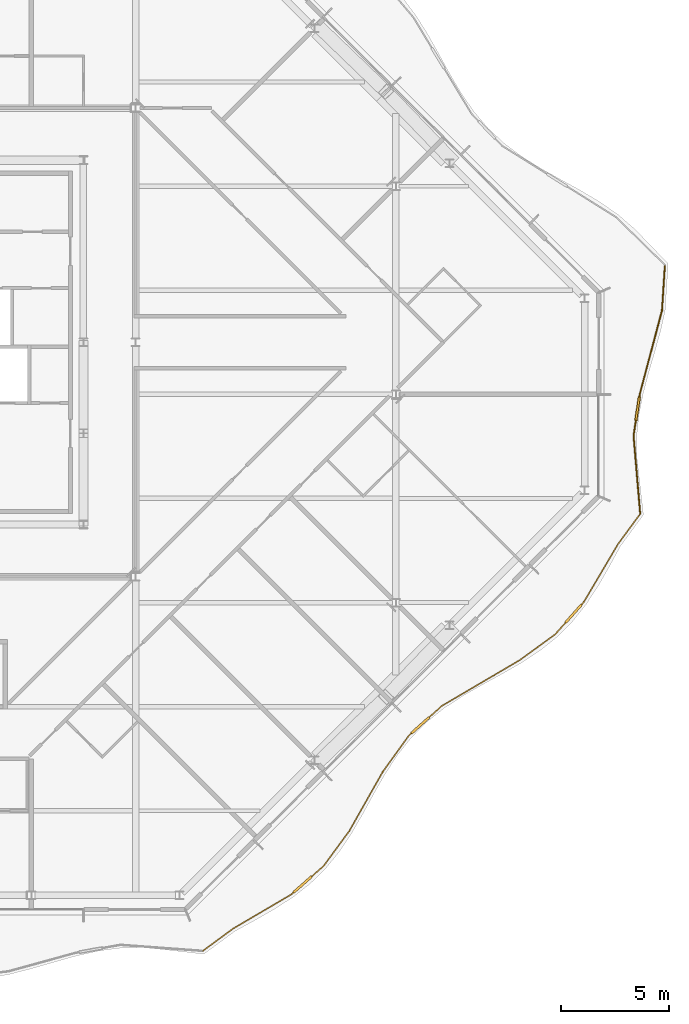
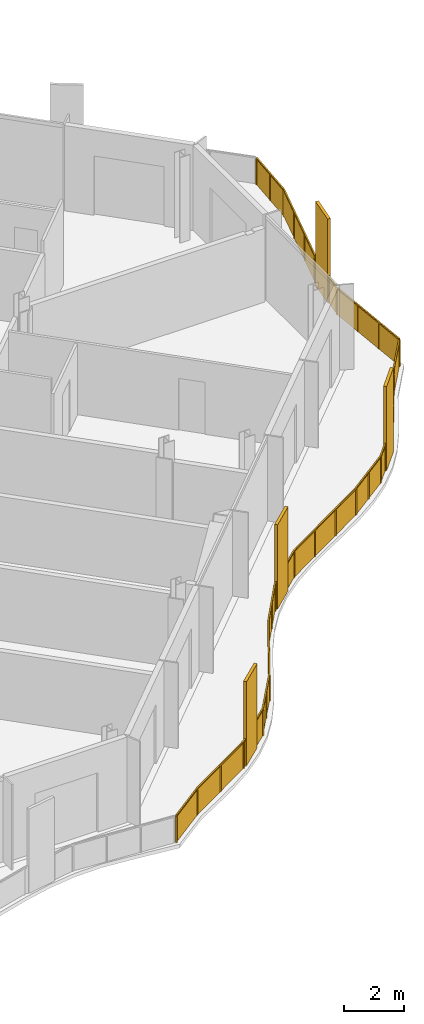
# One storey, part 15 of 17: 2 railings.
"""IFC4 building model written with IfcOpenShell, lengths in metres."""

from ifc_helpers import new_model, si_unit, direction, frame, origin, origin_2d, place, context, subcontext, project, spatial, polyline, rectangle, outline, extrude, material, type_object, element, save


model = new_model("IFC4")

# Units and contexts
model_context = context("Model", 3, precision=1e-05, world=origin(), true_north=direction((0.0, 1.0)))
body_context = subcontext(model_context, "Body", "Model", "MODEL_VIEW")
ifc_project = project(units=[si_unit("LENGTHUNIT", "METRE"), si_unit("AREAUNIT", "SQUARE_METRE"), si_unit("VOLUMEUNIT", "CUBIC_METRE"), si_unit("PLANEANGLEUNIT", "RADIAN"), si_unit("MASSUNIT", "GRAM", prefix="KILO")], contexts=[model_context])

# Site, building, storey
site_placement = place(None, origin())
site = spatial("IfcSite", under=ifc_project, at=site_placement, CompositionType="ELEMENT")
building_placement = place(site_placement, origin())
building = spatial("IfcBuilding", under=site, at=building_placement, Name="Cairn Pilgrim Tower", CompositionType="ELEMENT")
storey_placement = place(building_placement, frame((0.0, 0.0, 281.39990234375)))
storey = spatial("IfcBuildingStorey", under=building, at=storey_placement, Name="L72", CompositionType="ELEMENT", Elevation=281.39990234375)

# Railings
ifc_material = material(Name="Bronze anodised aluminium rail, posts and fin screens with laminated glass infill", Category="aluminium")
railing_type = type_object("IfcRailingType", Name="BALCONY GUARD WITH FIN SCREENS", PredefinedType="GUARDRAIL", material=ifc_material)
railing_1_placement = place(storey_placement, frame((22.30517578125, -25.655517578125, 0.0)))
element("IfcRailing", 1, at=railing_1_placement, inside=storey, type_object=railing_type, Name="Balcony guard BGF-2 with fin screens", PredefinedType="GUARDRAIL", context=body_context, shape_type="SweptSolid", body=[
    extrude(rectangle(XDim=0.050048828125, YDim=0.050048828125, at=origin_2d()), frame((0.0, 0.0, 1.0751953125), z_axis=(0.805528004219, 0.59255770556, 0.0), x_axis=(-0.59255770556, 0.805528004219, 0.0)), (0.0, 0.0, 1.0), 1.7275390625),
    extrude(rectangle(XDim=0.050048828125, YDim=0.050048828125, at=origin_2d()), frame((1.3916015625, 1.023681640625, 1.0751953125), z_axis=(0.862220572873, 0.506533003579, 0.0), x_axis=(-0.506533003579, 0.862220572873, 0.0)), (0.0, 0.0, 1.0), 3.11083984375),
    extrude(rectangle(XDim=1.10009765625, YDim=0.110107421875, at=origin_2d()), frame((4.599365234375, 3.061767578125, 0.0), z_axis=(0.0, 0.0, 1.0), x_axis=(0.750752560534, 0.660583524508, 0.0)), (0.0, 0.0, 1.0), 3.39990234375),
    extrude(rectangle(XDim=0.050048828125, YDim=0.050048828125, at=origin_2d()), frame((4.07373046875, 2.599365234375, 1.0751953125), z_axis=(0.750752560534, 0.660583524508, 0.0), x_axis=(-0.660583524508, 0.750752560534, 0.0)), (0.0, 0.0, 1.0), 0.14990234375),
    extrude(rectangle(XDim=0.050048828125, YDim=0.050048828125, at=origin_2d()), frame((5.01220703125, 3.425048828125, 1.0751953125), z_axis=(0.750752560534, 0.660583524508, 0.0), x_axis=(-0.660583524508, 0.750752560534, 0.0)), (0.0, 0.0, 1.0), 0.734619140625),
    extrude(rectangle(XDim=0.050048828125, YDim=0.050048828125, at=origin_2d()), frame((5.563720703125, 3.910400390625, 1.0751953125), z_axis=(0.591453185056, 0.806339339166, 0.0), x_axis=(-0.806339339166, 0.591453185056, 0.0)), (0.0, 0.0, 1.0), 2.009765625),
    extrude(rectangle(XDim=0.050048828125, YDim=0.050048828125, at=origin_2d()), frame((6.75244140625, 5.531005859375, 1.0751953125), z_axis=(0.492270540183, 0.87044225269, 0.0), x_axis=(-0.87044225269, 0.492270540183, 0.0)), (0.0, 0.0, 1.0), 3.13037109375),
    extrude(rectangle(XDim=0.050048828125, YDim=0.050048828125, at=origin_2d()), frame((8.29345703125, 8.255859375, 1.0751953125), z_axis=(0.584660244683, 0.811278249608, 0.0), x_axis=(-0.811278249608, 0.584660244683, 0.0)), (0.0, 0.0, 1.0), 2.06201171875),
    extrude(rectangle(XDim=1.10009765625, YDim=0.110107421875, at=origin_2d()), frame((10.019775390625, 10.396484375, 0.0), z_axis=(0.0, 0.0, 1.0), x_axis=(0.743928823424, 0.668258861279, 0.0)), (0.0, 0.0, 1.0), 3.39990234375),
    extrude(rectangle(XDim=0.050048828125, YDim=0.050048828125, at=origin_2d()), frame((9.4990234375, 9.9287109375, 1.0751953125), z_axis=(0.743928823424, 0.668258861279, 0.0), x_axis=(-0.668258861279, 0.743928823424, 0.0)), (0.0, 0.0, 1.0), 0.150146484375),
    extrude(rectangle(XDim=0.050048828125, YDim=0.050048828125, at=origin_2d()), frame((10.428955078125, 10.76416015625, 1.0751953125), z_axis=(0.743928823424, 0.668258861279, 0.0), x_axis=(-0.668258861279, 0.743928823424, 0.0)), (0.0, 0.0, 1.0), 0.79541015625),
    extrude(rectangle(XDim=0.050048828125, YDim=0.050048828125, at=origin_2d()), frame((11.020751953125, 11.295654296875, 1.0751953125), z_axis=(0.862149680118, 0.506653657909, 0.0), x_axis=(-0.506653657909, 0.862149680118, 0.0)), (0.0, 0.0, 1.0), 4.163818359375),
    extrude(rectangle(XDim=0.050048828125, YDim=0.050048828125, at=origin_2d()), frame((14.610595703125, 13.4052734375, 1.0751953125), z_axis=(0.808861941855, 0.587998604606, 0.0), x_axis=(-0.587998604606, 0.808861941855, 0.0)), (0.0, 0.0, 1.0), 2.012939453125),
    extrude(rectangle(XDim=1.10009765625, YDim=0.110107421875, at=origin_2d()), frame((17.091796875, 15.54833984375, 0.0), z_axis=(0.0, 0.0, 1.0), x_axis=(0.664417305895, 0.74736178898, 0.0)), (0.0, 0.0, 1.0), 3.39990234375),
    extrude(rectangle(XDim=0.050048828125, YDim=0.050048828125, at=origin_2d()), frame((16.23876953125, 14.5888671875, 1.0751953125), z_axis=(0.664417305895, 0.74736178898, 0.0), x_axis=(-0.74736178898, 0.664417305895, 0.0)), (0.0, 0.0, 1.0), 0.73388671875),
    extrude(rectangle(XDim=0.050048828125, YDim=0.050048828125, at=origin_2d()), frame((17.457275390625, 15.95947265625, 1.0751953125), z_axis=(0.664417305895, 0.74736178898, 0.0), x_axis=(-0.74736178898, 0.664417305895, 0.0)), (0.0, 0.0, 1.0), 0.14990234375),
    extrude(rectangle(XDim=0.050048828125, YDim=0.050048828125, at=origin_2d()), frame((17.556884765625, 16.071533203125, 1.0751953125), z_axis=(0.508025358166, 0.861342112903, 0.0), x_axis=(-0.861342112903, 0.508025358166, 0.0)), (0.0, 0.0, 1.0), 3.10888671875),
    extrude(rectangle(XDim=0.050048828125, YDim=0.050048828125, at=origin_2d()), frame((19.13623046875, 18.749267578125, 1.0751953125), z_axis=(0.591882813501, 0.806024028849, 0.0), x_axis=(-0.806024028849, 0.591882813501, 0.0)), (0.0, 0.0, 1.0), 1.67138671875),
    extrude(rectangle(XDim=0.050048828125, YDim=0.050048828125, at=origin_2d()), origin(), (0.0, 0.0, 1.0), 1.050048828125),
    extrude(rectangle(XDim=0.050048828125, YDim=0.050048828125, at=origin_2d()), frame((1.3916015625, 1.023681640625, 0.0)), (0.0, 0.0, 1.0), 1.050048828125),
    extrude(rectangle(XDim=0.050048828125, YDim=0.050048828125, at=origin_2d()), frame((2.732666015625, 1.8115234375, 0.0)), (0.0, 0.0, 1.0), 1.050048828125),
    extrude(rectangle(XDim=0.050048828125, YDim=0.050048828125, at=origin_2d()), frame((4.07373046875, 2.599365234375, 0.0)), (0.0, 0.0, 1.0), 1.050048828125),
    extrude(rectangle(XDim=0.050048828125, YDim=0.050048828125, at=origin_2d()), frame((4.16748046875, 2.681884765625, 0.0)), (0.0, 0.0, 1.0), 1.050048828125),
    extrude(rectangle(XDim=0.050048828125, YDim=0.050048828125, at=origin_2d()), frame((5.031005859375, 3.441650390625, 0.0)), (0.0, 0.0, 1.0), 1.050048828125),
    extrude(rectangle(XDim=0.050048828125, YDim=0.050048828125, at=origin_2d()), frame((5.563720703125, 3.910400390625, 0.0)), (0.0, 0.0, 1.0), 1.050048828125),
    extrude(rectangle(XDim=0.050048828125, YDim=0.050048828125, at=origin_2d()), frame((6.158203125, 4.720703125, 0.0)), (0.0, 0.0, 1.0), 1.050048828125),
    extrude(rectangle(XDim=0.050048828125, YDim=0.050048828125, at=origin_2d()), frame((6.75244140625, 5.531005859375, 0.0)), (0.0, 0.0, 1.0), 1.050048828125),
    extrude(rectangle(XDim=0.050048828125, YDim=0.050048828125, at=origin_2d()), frame((7.52294921875, 6.8935546875, 0.0)), (0.0, 0.0, 1.0), 1.050048828125),
    extrude(rectangle(XDim=0.050048828125, YDim=0.050048828125, at=origin_2d()), frame((8.29345703125, 8.255859375, 0.0)), (0.0, 0.0, 1.0), 1.050048828125),
    extrude(rectangle(XDim=0.050048828125, YDim=0.050048828125, at=origin_2d()), frame((8.896240234375, 9.09228515625, 0.0)), (0.0, 0.0, 1.0), 1.050048828125),
    extrude(rectangle(XDim=0.050048828125, YDim=0.050048828125, at=origin_2d()), frame((9.4990234375, 9.9287109375, 0.0)), (0.0, 0.0, 1.0), 1.050048828125),
    extrude(rectangle(XDim=0.050048828125, YDim=0.050048828125, at=origin_2d()), frame((9.592041015625, 10.01220703125, 0.0)), (0.0, 0.0, 1.0), 1.050048828125),
    extrude(rectangle(XDim=0.050048828125, YDim=0.050048828125, at=origin_2d()), frame((10.447509765625, 10.78076171875, 0.0)), (0.0, 0.0, 1.0), 1.050048828125),
    extrude(rectangle(XDim=0.050048828125, YDim=0.050048828125, at=origin_2d()), frame((11.020751953125, 11.295654296875, 0.0)), (0.0, 0.0, 1.0), 1.050048828125),
    extrude(rectangle(XDim=0.050048828125, YDim=0.050048828125, at=origin_2d()), frame((12.21728515625, 11.998779296875, 0.0)), (0.0, 0.0, 1.0), 1.050048828125),
    extrude(rectangle(XDim=0.050048828125, YDim=0.050048828125, at=origin_2d()), frame((13.4140625, 12.7021484375, 0.0)), (0.0, 0.0, 1.0), 1.050048828125),
    extrude(rectangle(XDim=0.050048828125, YDim=0.050048828125, at=origin_2d()), frame((14.610595703125, 13.4052734375, 0.0)), (0.0, 0.0, 1.0), 1.050048828125),
    extrude(rectangle(XDim=0.050048828125, YDim=0.050048828125, at=origin_2d()), frame((15.4248046875, 13.9970703125, 0.0)), (0.0, 0.0, 1.0), 1.050048828125),
    extrude(rectangle(XDim=0.050048828125, YDim=0.050048828125, at=origin_2d()), frame((16.23876953125, 14.5888671875, 0.0)), (0.0, 0.0, 1.0), 1.050048828125),
    extrude(rectangle(XDim=0.050048828125, YDim=0.050048828125, at=origin_2d()), frame((16.709716796875, 15.11865234375, 0.0)), (0.0, 0.0, 1.0), 1.050048828125),
    extrude(rectangle(XDim=0.050048828125, YDim=0.050048828125, at=origin_2d()), frame((17.473876953125, 15.978271484375, 0.0)), (0.0, 0.0, 1.0), 1.050048828125),
    extrude(rectangle(XDim=0.050048828125, YDim=0.050048828125, at=origin_2d()), frame((17.556884765625, 16.071533203125, 0.0)), (0.0, 0.0, 1.0), 1.050048828125),
    extrude(rectangle(XDim=0.050048828125, YDim=0.050048828125, at=origin_2d()), frame((18.3466796875, 17.410400390625, 0.0)), (0.0, 0.0, 1.0), 1.050048828125),
    extrude(rectangle(XDim=0.050048828125, YDim=0.050048828125, at=origin_2d()), frame((19.13623046875, 18.749267578125, 0.0)), (0.0, 0.0, 1.0), 1.050048828125),
    extrude(rectangle(XDim=0.050048828125, YDim=0.050048828125, at=origin_2d()), frame((20.12548828125, 20.096435546875, 0.0)), (0.0, 0.0, 1.0), 1.050048828125),
    extrude(outline(polyline([(0.02490234375, 0.0), (1.70263671875, 0.0), (1.70263671875, 1.050048828125), (0.02490234375, 1.050048828125), (0.02490234375, 0.0)])), frame((-0.003662109375, 0.0048828125, 0.0), z_axis=(0.59255770556, -0.805528004219, 0.0), x_axis=(0.805528004219, 0.59255770556, 0.0)), (0.0, 0.0, 1.0), 0.011962890625),
    extrude(outline(polyline([(0.02490234375, 0.0), (1.5302734375, 0.0), (1.5302734375, 1.050048828125), (0.02490234375, 1.050048828125), (0.02490234375, 0.0)])), frame((1.388671875, 1.02880859375, 0.0), z_axis=(0.506533003579, -0.862220572873, 0.0), x_axis=(0.862220572873, 0.506533003579, 0.0)), (0.0, 0.0, 1.0), 0.011962890625),
    extrude(outline(polyline([(0.02490234375, 0.0), (1.5302734375, 0.0), (1.5302734375, 1.050048828125), (0.02490234375, 1.050048828125), (0.02490234375, 0.0)])), frame((2.729736328125, 1.816650390625, 0.0), z_axis=(0.506533003579, -0.862220572873, 0.0), x_axis=(0.862220572873, 0.506533003579, 0.0)), (0.0, 0.0, 1.0), 0.011962890625),
    extrude(outline(polyline([(0.02490234375, 0.0), (0.099853515625, 0.0), (0.099853515625, 1.050048828125), (0.02490234375, 1.050048828125), (0.02490234375, 0.0)])), frame((4.06982421875, 2.603759765625, 0.0), z_axis=(0.660583524508, -0.750752560534, 0.0), x_axis=(0.750752560534, 0.660583524508, 0.0)), (0.0, 0.0, 1.0), 0.011962890625),
    extrude(outline(polyline([(0.02490234375, 0.0), (0.6845703125, 0.0), (0.6845703125, 1.050048828125), (0.02490234375, 1.050048828125), (0.02490234375, 0.0)])), frame((5.027099609375, 3.446044921875, 0.0), z_axis=(0.660583524508, -0.750752560534, 0.0), x_axis=(0.750752560534, 0.660583524508, 0.0)), (0.0, 0.0, 1.0), 0.011962890625),
    extrude(outline(polyline([(0.02490234375, 0.0), (0.97998046875, 0.0), (0.97998046875, 1.050048828125), (0.02490234375, 1.050048828125), (0.02490234375, 0.0)])), frame((5.558837890625, 3.913818359375, 0.0), z_axis=(0.806339339166, -0.591453185056, 0.0), x_axis=(0.591453185056, 0.806339339166, 0.0)), (0.0, 0.0, 1.0), 0.011962890625),
    extrude(outline(polyline([(0.02490234375, 0.0), (0.97998046875, 0.0), (0.97998046875, 1.050048828125), (0.02490234375, 1.050048828125), (0.02490234375, 0.0)])), frame((6.1533203125, 4.72412109375, 0.0), z_axis=(0.806339339166, -0.591453185056, 0.0), x_axis=(0.591453185056, 0.806339339166, 0.0)), (0.0, 0.0, 1.0), 0.011962890625),
    extrude(outline(polyline([(0.02490234375, 0.0), (1.540283203125, 0.0), (1.540283203125, 1.050048828125), (0.02490234375, 1.050048828125), (0.02490234375, 0.0)])), frame((6.747314453125, 5.533935546875, 0.0), z_axis=(0.87044225269, -0.492270540183, 0.0), x_axis=(0.492270540183, 0.87044225269, 0.0)), (0.0, 0.0, 1.0), 0.011962890625),
    extrude(outline(polyline([(0.02490234375, 0.0), (1.540283203125, 0.0), (1.540283203125, 1.050048828125), (0.02490234375, 1.050048828125), (0.02490234375, 0.0)])), frame((7.517822265625, 6.896484375, 0.0), z_axis=(0.87044225269, -0.492270540183, 0.0), x_axis=(0.492270540183, 0.87044225269, 0.0)), (0.0, 0.0, 1.0), 0.011962890625),
    extrude(outline(polyline([(0.02490234375, 0.0), (1.005859375, 0.0), (1.005859375, 1.050048828125), (0.02490234375, 1.050048828125), (0.02490234375, 0.0)])), frame((8.28857421875, 8.25927734375, 0.0), z_axis=(0.811278249608, -0.584660244683, 0.0), x_axis=(0.584660244683, 0.811278249608, 0.0)), (0.0, 0.0, 1.0), 0.011962890625),
    extrude(outline(polyline([(0.02490234375, 0.0), (1.005859375, 0.0), (1.005859375, 1.050048828125), (0.02490234375, 1.050048828125), (0.02490234375, 0.0)])), frame((8.891357421875, 9.095703125, 0.0), z_axis=(0.811278249608, -0.584660244683, 0.0), x_axis=(0.584660244683, 0.811278249608, 0.0)), (0.0, 0.0, 1.0), 0.011962890625),
    extrude(outline(polyline([(0.02490234375, 0.0), (0.10009765625, 0.0), (0.10009765625, 1.050048828125), (0.02490234375, 1.050048828125), (0.02490234375, 0.0)])), frame((9.4951171875, 9.93310546875, 0.0), z_axis=(0.668258861279, -0.743928823424, 0.0), x_axis=(0.743928823424, 0.668258861279, 0.0)), (0.0, 0.0, 1.0), 0.011962890625),
    extrude(outline(polyline([(0.02490234375, 0.0), (0.745361328125, 0.0), (0.745361328125, 1.050048828125), (0.02490234375, 1.050048828125), (0.02490234375, 0.0)])), frame((10.443603515625, 10.78515625, 0.0), z_axis=(0.668258861279, -0.743928823424, 0.0), x_axis=(0.743928823424, 0.668258861279, 0.0)), (0.0, 0.0, 1.0), 0.011962890625),
    extrude(outline(polyline([(0.02490234375, 0.0), (1.363037109375, 0.0), (1.363037109375, 1.050048828125), (0.02490234375, 1.050048828125), (0.02490234375, 0.0)])), frame((11.017822265625, 11.30078125, 0.0), z_axis=(0.506653657909, -0.862149680118, 0.0), x_axis=(0.862149680118, 0.506653657909, 0.0)), (0.0, 0.0, 1.0), 0.011962890625),
    extrude(outline(polyline([(0.02490234375, 0.0), (1.363037109375, 0.0), (1.363037109375, 1.050048828125), (0.02490234375, 1.050048828125), (0.02490234375, 0.0)])), frame((12.21435546875, 12.00390625, 0.0), z_axis=(0.506653657909, -0.862149680118, 0.0), x_axis=(0.862149680118, 0.506653657909, 0.0)), (0.0, 0.0, 1.0), 0.011962890625),
    extrude(outline(polyline([(0.02490234375, 0.0), (1.363037109375, 0.0), (1.363037109375, 1.050048828125), (0.02490234375, 1.050048828125), (0.02490234375, 0.0)])), frame((13.410888671875, 12.707275390625, 0.0), z_axis=(0.506653657909, -0.862149680118, 0.0), x_axis=(0.862149680118, 0.506653657909, 0.0)), (0.0, 0.0, 1.0), 0.011962890625),
    extrude(outline(polyline([(0.02490234375, 0.0), (0.9814453125, 0.0), (0.9814453125, 1.050048828125), (0.02490234375, 1.050048828125), (0.02490234375, 0.0)])), frame((14.607177734375, 13.41015625, 0.0), z_axis=(0.587998604606, -0.808861941855, 0.0), x_axis=(0.808861941855, 0.587998604606, 0.0)), (0.0, 0.0, 1.0), 0.011962890625),
    extrude(outline(polyline([(0.02490234375, 0.0), (0.9814453125, 0.0), (0.9814453125, 1.050048828125), (0.02490234375, 1.050048828125), (0.02490234375, 0.0)])), frame((15.421142578125, 14.001953125, 0.0), z_axis=(0.587998604606, -0.808861941855, 0.0), x_axis=(0.808861941855, 0.587998604606, 0.0)), (0.0, 0.0, 1.0), 0.011962890625),
    extrude(outline(polyline([(0.02490234375, 0.0), (0.683837890625, 0.0), (0.683837890625, 1.050048828125), (0.02490234375, 1.050048828125), (0.02490234375, 0.0)])), frame((16.234375, 14.5927734375, 0.0), z_axis=(0.74736178898, -0.664417305895, 0.0), x_axis=(0.664417305895, 0.74736178898, 0.0)), (0.0, 0.0, 1.0), 0.011962890625),
    extrude(outline(polyline([(0.02490234375, 0.0), (0.099853515625, 0.0), (0.099853515625, 1.050048828125), (0.02490234375, 1.050048828125), (0.02490234375, 0.0)])), frame((17.469482421875, 15.982177734375, 0.0), z_axis=(0.74736178898, -0.664417305895, 0.0), x_axis=(0.664417305895, 0.74736178898, 0.0)), (0.0, 0.0, 1.0), 0.011962890625),
    extrude(outline(polyline([(0.02490234375, 0.0), (1.529296875, 0.0), (1.529296875, 1.050048828125), (0.02490234375, 1.050048828125), (0.02490234375, 0.0)])), frame((17.5517578125, 16.074462890625, 0.0), z_axis=(0.861342112903, -0.508025358166, 0.0), x_axis=(0.508025358166, 0.861342112903, 0.0)), (0.0, 0.0, 1.0), 0.011962890625),
    extrude(outline(polyline([(0.02490234375, 0.0), (1.529296875, 0.0), (1.529296875, 1.050048828125), (0.02490234375, 1.050048828125), (0.02490234375, 0.0)])), frame((18.34130859375, 17.413330078125, 0.0), z_axis=(0.861342112903, -0.508025358166, 0.0), x_axis=(0.508025358166, 0.861342112903, 0.0)), (0.0, 0.0, 1.0), 0.011962890625),
    extrude(outline(polyline([(0.02490234375, 0.0), (1.646240234375, 0.0), (1.646240234375, 1.050048828125), (0.02490234375, 1.050048828125), (0.02490234375, 0.0)])), frame((19.13134765625, 18.7529296875, 0.0), z_axis=(0.806024028849, -0.591882813501, 0.0), x_axis=(0.591882813501, 0.806024028849, 0.0)), (0.0, 0.0, 1.0), 0.011962890625),
])
railing_2_placement = place(storey_placement, frame((42.46630859375, -5.5107421875, 0.0)))
element("IfcRailing", 2, at=railing_2_placement, inside=storey, type_object=railing_type, Name="Balcony guard BGF-3 with fin screens", PredefinedType="GUARDRAIL", context=body_context, shape_type="SweptSolid", body=[
    extrude(rectangle(XDim=0.050048828125, YDim=0.050048828125, at=origin_2d()), frame((0.0, 0.0, 1.0751953125), z_axis=(-0.084909875576, 0.996388635538, 0.0), x_axis=(-0.996388635538, -0.084909875576, 0.0)), (0.0, 0.0, 1.0), 3.6083984375),
    extrude(rectangle(XDim=1.10009765625, YDim=0.110107421875, at=origin_2d()), frame((-0.118896484375, 4.848876953125, 0.0), z_axis=(0.0, 0.0, 1.0), x_axis=(0.147915680152, 0.988999975513, 0.0)), (0.0, 0.0, 1.0), 3.39990234375),
    extrude(rectangle(XDim=0.050048828125, YDim=0.050048828125, at=origin_2d()), frame((-0.306396484375, 3.595458984375, 1.0751953125), z_axis=(0.147915680152, 0.988999975513, 0.0), x_axis=(-0.988999975513, 0.147915680152, 0.0)), (0.0, 0.0, 1.0), 0.71728515625),
    extrude(rectangle(XDim=0.050048828125, YDim=0.050048828125, at=origin_2d()), frame((-0.03759765625, 5.392822265625, 1.0751953125), z_axis=(0.147915680152, 0.988999975513, 0.0), x_axis=(-0.988999975513, 0.147915680152, 0.0)), (0.0, 0.0, 1.0), 0.150146484375),
    extrude(rectangle(XDim=0.050048828125, YDim=0.050048828125, at=origin_2d()), frame((-0.015380859375, 5.541259765625, 1.0751953125), z_axis=(0.256946268693, 0.966425690369, 0.0), x_axis=(-0.966425690369, 0.256946268693, 0.0)), (0.0, 0.0, 1.0), 3.967041015625),
    extrude(rectangle(XDim=0.050048828125, YDim=0.050048828125, at=origin_2d()), frame((1.00390625, 9.375, 1.0751953125), z_axis=(0.063937758081, 0.997953888259, 0.0), x_axis=(-0.997953888259, 0.063937758081, 0.0)), (0.0, 0.0, 1.0), 2.046630859375),
    extrude(rectangle(XDim=0.050048828125, YDim=0.050048828125, at=origin_2d()), origin(), (0.0, 0.0, 1.0), 1.050048828125),
    extrude(rectangle(XDim=0.050048828125, YDim=0.050048828125, at=origin_2d()), frame((-0.10205078125, 1.198486328125, 0.0)), (0.0, 0.0, 1.0), 1.050048828125),
    extrude(rectangle(XDim=0.050048828125, YDim=0.050048828125, at=origin_2d()), frame((-0.204345703125, 2.39697265625, 0.0)), (0.0, 0.0, 1.0), 1.050048828125),
    extrude(rectangle(XDim=0.050048828125, YDim=0.050048828125, at=origin_2d()), frame((-0.306396484375, 3.595458984375, 0.0)), (0.0, 0.0, 1.0), 1.050048828125),
    extrude(rectangle(XDim=0.050048828125, YDim=0.050048828125, at=origin_2d()), frame((-0.2041015625, 4.280029296875, 0.0)), (0.0, 0.0, 1.0), 1.050048828125),
    extrude(rectangle(XDim=0.050048828125, YDim=0.050048828125, at=origin_2d()), frame((-0.033935546875, 5.41748046875, 0.0)), (0.0, 0.0, 1.0), 1.050048828125),
    extrude(rectangle(XDim=0.050048828125, YDim=0.050048828125, at=origin_2d()), frame((-0.015380859375, 5.541259765625, 0.0)), (0.0, 0.0, 1.0), 1.050048828125),
    extrude(rectangle(XDim=0.050048828125, YDim=0.050048828125, at=origin_2d()), frame((0.324462890625, 6.819091796875, 0.0)), (0.0, 0.0, 1.0), 1.050048828125),
    extrude(rectangle(XDim=0.050048828125, YDim=0.050048828125, at=origin_2d()), frame((0.6640625, 8.09716796875, 0.0)), (0.0, 0.0, 1.0), 1.050048828125),
    extrude(rectangle(XDim=0.050048828125, YDim=0.050048828125, at=origin_2d()), frame((1.00390625, 9.375, 0.0)), (0.0, 0.0, 1.0), 1.050048828125),
    extrude(rectangle(XDim=0.050048828125, YDim=0.050048828125, at=origin_2d()), frame((1.0693359375, 10.396240234375, 0.0)), (0.0, 0.0, 1.0), 1.050048828125),
    extrude(rectangle(XDim=0.050048828125, YDim=0.050048828125, at=origin_2d()), frame((1.134765625, 11.41748046875, 0.0)), (0.0, 0.0, 1.0), 1.050048828125),
    extrude(outline(polyline([(0.02490234375, 0.0), (1.177734375, 0.0), (1.177734375, 1.050048828125), (0.02490234375, 1.050048828125), (0.02490234375, 0.0)])), frame((-0.005859375, -0.00048828125, 0.0), z_axis=(0.996388635538, 0.084909875576, 0.0), x_axis=(-0.084909875576, 0.996388635538, 0.0)), (0.0, 0.0, 1.0), 0.011962890625),
    extrude(outline(polyline([(0.02490234375, 0.0), (1.177734375, 0.0), (1.177734375, 1.050048828125), (0.02490234375, 1.050048828125), (0.02490234375, 0.0)])), frame((-0.108154296875, 1.197998046875, 0.0), z_axis=(0.996388635538, 0.084909875576, 0.0), x_axis=(-0.084909875576, 0.996388635538, 0.0)), (0.0, 0.0, 1.0), 0.011962890625),
    extrude(outline(polyline([(0.02490234375, 0.0), (1.177734375, 0.0), (1.177734375, 1.050048828125), (0.02490234375, 1.050048828125), (0.02490234375, 0.0)])), frame((-0.210205078125, 2.396484375, 0.0), z_axis=(0.996388635538, 0.084909875576, 0.0), x_axis=(-0.084909875576, 0.996388635538, 0.0)), (0.0, 0.0, 1.0), 0.011962890625),
    extrude(outline(polyline([(0.02490234375, 0.0), (0.667236328125, 0.0), (0.667236328125, 1.050048828125), (0.02490234375, 1.050048828125), (0.02490234375, 0.0)])), frame((-0.312255859375, 3.596435546875, 0.0), z_axis=(0.988999975513, -0.147915680152, 0.0), x_axis=(0.147915680152, 0.988999975513, 0.0)), (0.0, 0.0, 1.0), 0.011962890625),
    extrude(outline(polyline([(0.02490234375, 0.0), (0.10009765625, 0.0), (0.10009765625, 1.050048828125), (0.02490234375, 1.050048828125), (0.02490234375, 0.0)])), frame((-0.039794921875, 5.41845703125, 0.0), z_axis=(0.988999975513, -0.147915680152, 0.0), x_axis=(0.147915680152, 0.988999975513, 0.0)), (0.0, 0.0, 1.0), 0.011962890625),
    extrude(outline(polyline([(0.02490234375, 0.0), (1.29736328125, 0.0), (1.29736328125, 1.050048828125), (0.02490234375, 1.050048828125), (0.02490234375, 0.0)])), frame((-0.021240234375, 5.542724609375, 0.0), z_axis=(0.966425690369, -0.256946268693, 0.0), x_axis=(0.256946268693, 0.966425690369, 0.0)), (0.0, 0.0, 1.0), 0.011962890625),
    extrude(outline(polyline([(0.02490234375, 0.0), (1.29736328125, 0.0), (1.29736328125, 1.050048828125), (0.02490234375, 1.050048828125), (0.02490234375, 0.0)])), frame((0.318603515625, 6.82080078125, 0.0), z_axis=(0.966425690369, -0.256946268693, 0.0), x_axis=(0.256946268693, 0.966425690369, 0.0)), (0.0, 0.0, 1.0), 0.011962890625),
    extrude(outline(polyline([(0.02490234375, 0.0), (1.29736328125, 0.0), (1.29736328125, 1.050048828125), (0.02490234375, 1.050048828125), (0.02490234375, 0.0)])), frame((0.658447265625, 8.0986328125, 0.0), z_axis=(0.966425690369, -0.256946268693, 0.0), x_axis=(0.256946268693, 0.966425690369, 0.0)), (0.0, 0.0, 1.0), 0.011962890625),
    extrude(outline(polyline([(0.02490234375, 0.0), (0.998291015625, 0.0), (0.998291015625, 1.050048828125), (0.02490234375, 1.050048828125), (0.02490234375, 0.0)])), frame((0.998046875, 9.37548828125, 0.0), z_axis=(0.997953888259, -0.063937758081, 0.0), x_axis=(0.063937758081, 0.997953888259, 0.0)), (0.0, 0.0, 1.0), 0.011962890625),
    extrude(outline(polyline([(0.02490234375, 0.0), (0.998291015625, 0.0), (0.998291015625, 1.050048828125), (0.02490234375, 1.050048828125), (0.02490234375, 0.0)])), frame((1.0634765625, 10.396728515625, 0.0), z_axis=(0.997953888259, -0.063937758081, 0.0), x_axis=(0.063937758081, 0.997953888259, 0.0)), (0.0, 0.0, 1.0), 0.011962890625),
])

save(model, "model.ifc")
